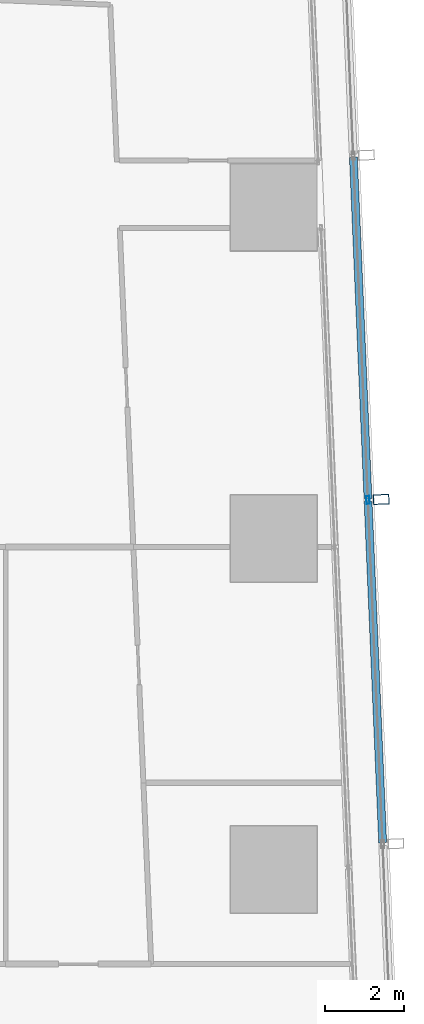
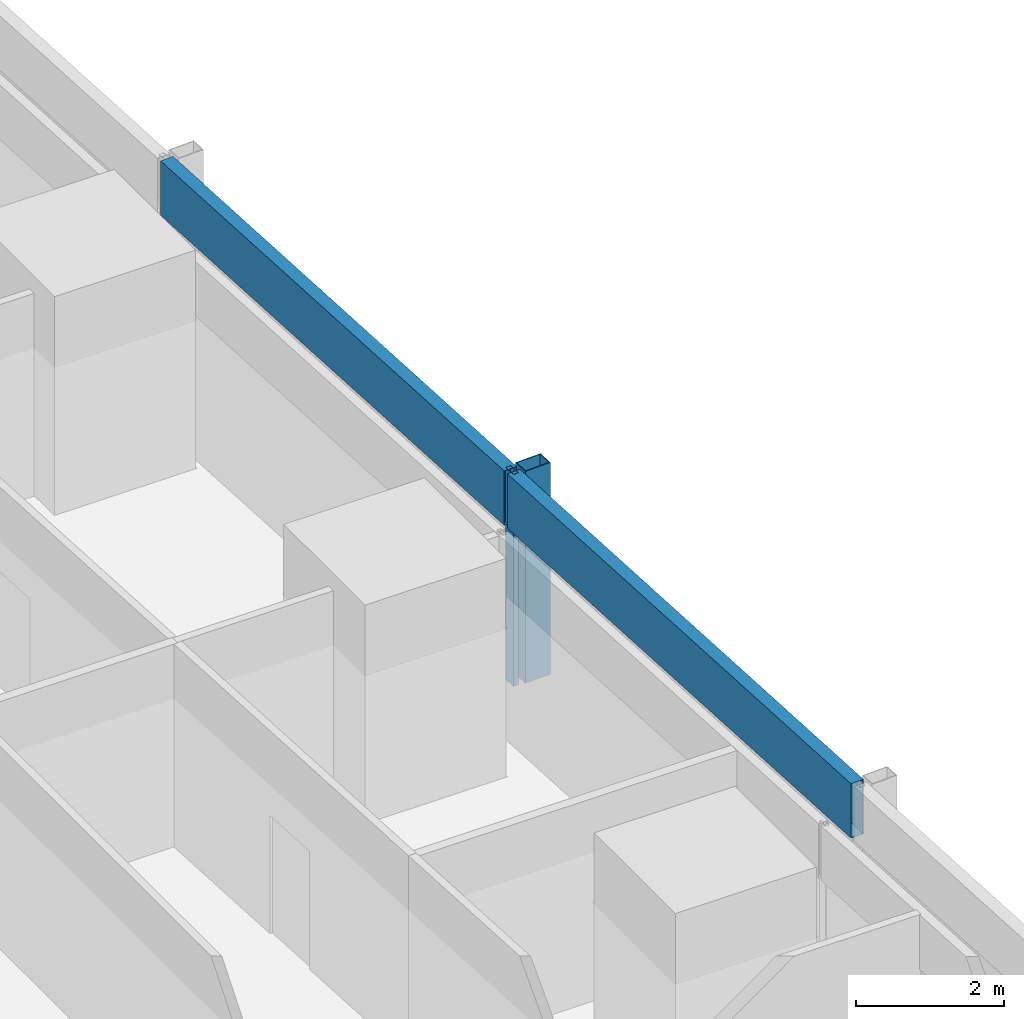
# One storey, part 28 of 44: 4 members, 1 element without a shape of its own.
"""IFC4 building model written with IfcOpenShell, lengths in metres."""

from ifc_helpers import new_model, si_unit, direction, frame, origin, origin_2d, place, context, subcontext, project, spatial, hollow_rectangle, extrude, material, material_profile, profile_set, type_object, element, aggregate, save


model = new_model("IFC4")

# Units and contexts
model_context = context("Model", 3, precision=1e-05, world=origin(), true_north=direction((0.0, 1.0)))
body_context = subcontext(model_context, "Body", "Model", "MODEL_VIEW")
ifc_project = project(units=[si_unit("LENGTHUNIT", "METRE"), si_unit("AREAUNIT", "SQUARE_METRE"), si_unit("VOLUMEUNIT", "CUBIC_METRE"), si_unit("PLANEANGLEUNIT", "RADIAN"), si_unit("MASSUNIT", "GRAM", prefix="KILO")], contexts=[model_context])

# Site, building, storey
site_placement = place(None, origin())
site = spatial("IfcSite", under=ifc_project, at=site_placement, CompositionType="ELEMENT")
building_placement = place(site_placement, origin())
building = spatial("IfcBuilding", under=site, at=building_placement, Name="Rekha Terrace Tower", CompositionType="ELEMENT")
storey_placement = place(building_placement, frame((0.0, 0.0, 62.89990234375)))
storey = spatial("IfcBuildingStorey", under=building, at=storey_placement, Name="L15", CompositionType="ELEMENT", Elevation=62.89990234375)

# Curtain wall, members
ifc_material_1 = material(Name="Aluminium framing", Category="aluminium")
curtain_wall_type = type_object("IfcCurtainWallType", Name="CW2 double skin outer glazing", PredefinedType="USERDEFINED", material=ifc_material_1)
curtain_wall_placement = place(storey_placement, origin())
curtain_wall = element("IfcCurtainWall", 1, at=curtain_wall_placement, inside=storey, type_object=curtain_wall_type, Name="CW2 double skin outer glazing", ObjectType="DOUBLE SKIN OUTER GLAZING", PredefinedType="USERDEFINED")
ifc_material_2 = material(Name="Steel S355 with fluorocarbon finish", Category="steel")
ifc_material_profile_1 = material_profile(ifc_material_2, hollow_rectangle(XDim=0.25, YDim=0.39990234375, WallThickness=0.012451171875, at=origin_2d()), Name="RHS400x250x12.5")
ifc_profile_set_1 = profile_set([ifc_material_profile_1], Name="Steel S355 with fluorocarbon finish")
member_type_1 = type_object("IfcMemberType", Name="BL1 facade blade RHS 400 x 250", PredefinedType="USERDEFINED", material=ifc_profile_set_1)
member_1_placement = place(storey_placement, frame((69.927734375, 42.989013671875, 0.0), z_axis=(0.0, 0.0, 1.0), x_axis=(-0.04269522475, 0.99908814315, 0.0)))
member_1 = element("IfcMember", 2, at=member_1_placement, type_object=member_type_1, Name="Facade blade", ObjectType="FACADE BLADE", PredefinedType="USERDEFINED", context=body_context, shape_type="SweptSolid", body=[
    extrude(hollow_rectangle(XDim=0.25, YDim=0.39990234375, WallThickness=0.012451171875, at=origin_2d()), origin(), (0.0, 0.0, 1.0), 3.5),
])
ifc_material_3 = material(Name="Aluminium mullion section", Category="aluminium")
ifc_material_profile_2 = material_profile(ifc_material_3, hollow_rectangle(XDim=0.080078125, YDim=0.199951171875, WallThickness=0.00390625, at=origin_2d()), Name="AL RHS 80x200")
ifc_profile_set_2 = profile_set([ifc_material_profile_2], Name="Aluminium mullion section")
member_type_2 = type_object("IfcMemberType", Name="CW2 mullion RHS 80 x 200", PredefinedType="MULLION", material=ifc_profile_set_2)
member_2_placement = place(storey_placement, frame((69.593017578125, 42.974609375, 0.0), z_axis=(0.0, 0.0, 1.0), x_axis=(-0.999088106903, -0.042696072956, 0.0)))
member_2 = element("IfcMember", 3, at=member_2_placement, type_object=member_type_2, Name="CW2 mullion 3", PredefinedType="MULLION", context=body_context, shape_type="SweptSolid", body=[
    extrude(hollow_rectangle(XDim=0.080078125, YDim=0.199951171875, WallThickness=0.00390625, at=origin_2d()), origin(), (0.0, 0.0, 1.0), 3.5),
])
ifc_material_4 = material(Name="Insulated aluminium spandrel box", Category="aluminium")
ifc_material_profile_3 = material_profile(ifc_material_4, hollow_rectangle(XDim=0.199951171875, YDim=0.89990234375, WallThickness=0.0029296875, at=origin_2d()), Name="AL SPANDREL BOX 200x900")
ifc_profile_set_3 = profile_set([ifc_material_profile_3], Name="Insulated aluminium spandrel box")
member_type_3 = type_object("IfcMemberType", Name="CW2 spandrel transom 200 x 900", PredefinedType="USERDEFINED", material=ifc_profile_set_3)
member_3_placement = place(storey_placement, frame((69.964599609375, 34.27880859375, 3.050048828125), z_axis=(-0.042692466729, 0.999088261008, 0.0), x_axis=(-0.999088261008, -0.042692466729, 0.0)))
member_3 = element("IfcMember", 4, at=member_3_placement, type_object=member_type_3, Name="CW2 spandrel transom 2", ObjectType="TRANSOM", PredefinedType="USERDEFINED", context=body_context, shape_type="SweptSolid", body=[
    extrude(hollow_rectangle(XDim=0.199951171875, YDim=0.89990234375, WallThickness=0.0029296875, at=origin_2d()), origin(), (0.0, 0.0, 1.0), 8.66357421875),
])
member_4_placement = place(storey_placement, frame((69.59130859375, 43.014404296875, 3.050048828125), z_axis=(-0.042691264793, 0.999088312368, 0.0), x_axis=(-0.999088312368, -0.042691264793, 0.0)))
member_4 = element("IfcMember", 5, at=member_4_placement, type_object=member_type_3, Name="CW2 spandrel transom 3", ObjectType="TRANSOM", PredefinedType="USERDEFINED", context=body_context, shape_type="SweptSolid", body=[
    extrude(hollow_rectangle(XDim=0.199951171875, YDim=0.89990234375, WallThickness=0.0029296875, at=origin_2d()), origin(), (0.0, 0.0, 1.0), 8.663818359375),
])
aggregate(curtain_wall, [member_2, member_3, member_4, member_1])

save(model, "model.ifc")
